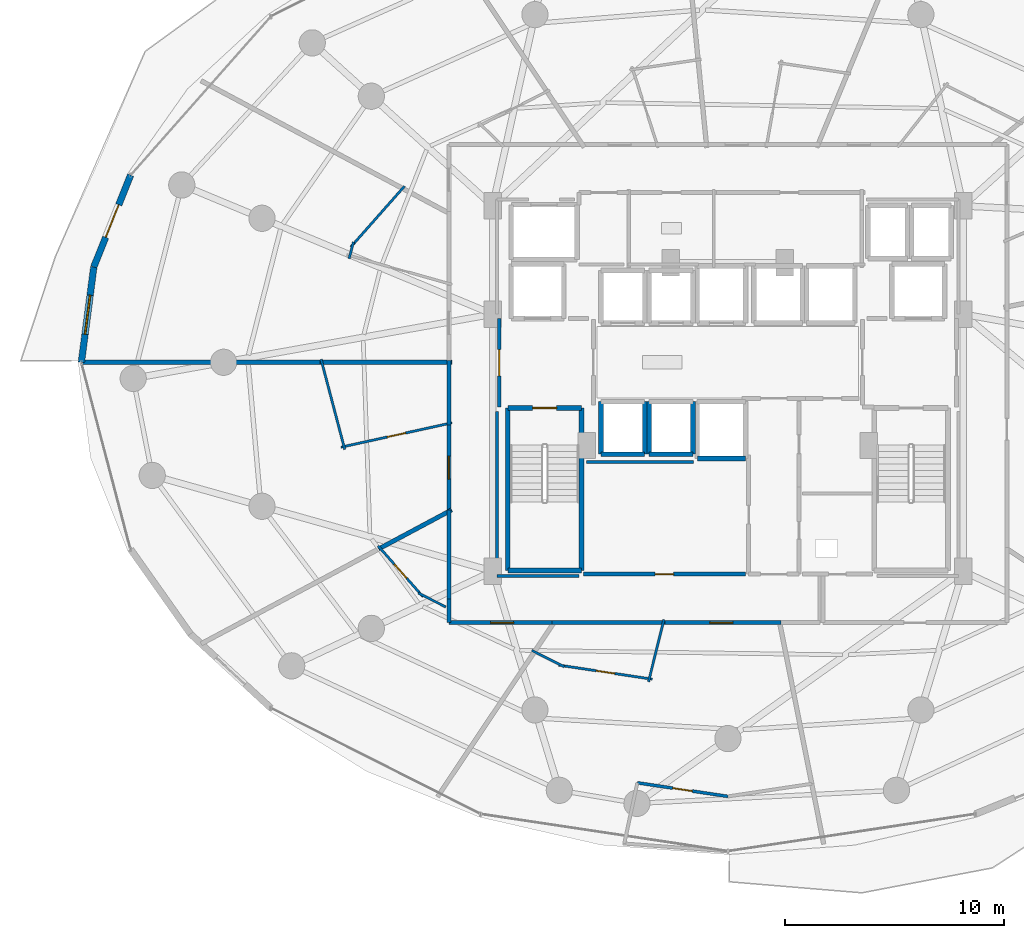
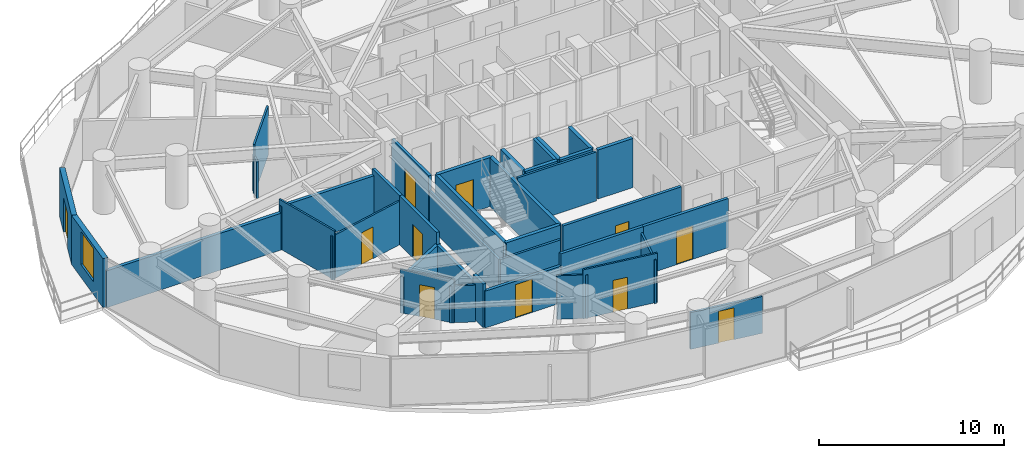
# One storey, part 26 of 34: 38 walls, 11 doors, 1 window, 12 openings.
"""IFC4 building model written with IfcOpenShell, lengths in metres."""

from ifc_helpers import new_model, si_unit, direction, frame, frame_2d, origin, place, context, subcontext, project, spatial, rectangle, extrude, material, layer, layer_set, type_object, element, fill, save


model = new_model("IFC4")

# Units and contexts
model_context = context("Model", 3, precision=1e-05, world=origin(), true_north=direction((0.0, 1.0)))
body_context = subcontext(model_context, "Body", "Model", "MODEL_VIEW")
ifc_project = project(units=[si_unit("LENGTHUNIT", "METRE"), si_unit("AREAUNIT", "SQUARE_METRE"), si_unit("VOLUMEUNIT", "CUBIC_METRE"), si_unit("PLANEANGLEUNIT", "RADIAN"), si_unit("MASSUNIT", "GRAM", prefix="KILO")], contexts=[model_context])

# Site, building, storey
site_placement = place(None, origin())
site = spatial("IfcSite", under=ifc_project, at=site_placement, CompositionType="ELEMENT")
building_placement = place(site_placement, origin())
building = spatial("IfcBuilding", under=site, at=building_placement, Name="Vorneva Point Tower", CompositionType="ELEMENT")
storey_placement = place(building_placement, frame((0.0, 0.0, 62.5)))
storey = spatial("IfcBuildingStorey", under=building, at=storey_placement, Name="L16", CompositionType="ELEMENT", Elevation=62.5)

# Wall, opening, door
ifc_material_1 = material(Name="Precast concrete B50 (C40/50)", Category="concrete")
ifc_layer_1 = layer(ifc_material_1, 0.300048828125)
ifc_layer_set_1 = layer_set([ifc_layer_1], Name="Precast concrete B50 (C40/50)")
wall_type_1 = type_object("IfcWallType", Name="WL-EXT-300", PredefinedType="STANDARD", material=ifc_layer_set_1)
wall_1_placement = place(storey_placement, frame((10.699462890625, 34.552978515625, 0.0), z_axis=(0.0, 0.0, 1.0), x_axis=(-0.372266423315, -0.928125912833, 0.0)))
wall_1 = element("IfcWall", 1, at=wall_1_placement, inside=storey, type_object=wall_type_1, Name="L16 Pale-Metal Facade Spandrel Wall 08.1", PredefinedType="STANDARD", context=body_context, shape_type="SweptSolid", body=[
    extrude(rectangle(XDim=4.517333984375, YDim=0.300048828125, at=frame_2d((2.2587890625, 0.0))), origin(), (0.0, 0.0, 1.0), 3.239990234375),
])
opening_1_placement = place(wall_1_placement, frame((1.458740234375, 0.0, 0.0)))
opening_1 = element("IfcOpeningElement", 2, at=opening_1_placement, cuts=wall_1, Name="Opening BD-01", PredefinedType="OPENING", context=body_context, shape_type="SweptSolid", body=[
    extrude(rectangle(XDim=1.60009765625, YDim=2.300048828125, at=frame_2d((0.800048828125, 1.14990234375))), frame((0.0, 0.1650390625, 0.0), z_axis=(0.0, -1.0, 0.0), x_axis=(1.0, 0.0, 0.0)), (0.0, 0.0, 1.0), 0.329833984375),
])
ifc_material_2 = material(Name="Pale anodised aluminium", Category="aluminium")
door_type_1 = type_object("IfcDoorType", Name="DR-BAL-1600", OperationType="SLIDING_TO_LEFT", PredefinedType="DOOR", material=ifc_material_2)
door_1_placement = place(opening_1_placement, origin())
door_1 = element("IfcDoor", 3, at=door_1_placement, inside=storey, type_object=door_type_1, Name="L16 Balcony Terrace Access Door 08", OperationType="SLIDING_TO_LEFT", OverallHeight=2.300048828125, OverallWidth=1.60009765625, PredefinedType="DOOR", context=body_context, shape_type="SweptSolid", body=[
    extrude(rectangle(XDim=1.60009765625, YDim=2.300048828125, at=frame_2d((0.800048828125, 1.14990234375))), frame((0.0, 0.02490234375, 0.0), z_axis=(0.0, -1.0, 0.0), x_axis=(1.0, 0.0, 0.0)), (0.0, 0.0, 1.0), 0.050048828125),
])
fill(opening_1, door_1)

# Wall, opening, window
wall_2_placement = place(storey_placement, frame((9.017822265625, 30.3603515625, 0.0), z_axis=(0.0, 0.0, 1.0), x_axis=(-0.129144544413, -0.99162577954, 0.0)))
wall_2 = element("IfcWall", 4, at=wall_2_placement, inside=storey, type_object=wall_type_1, Name="L16 Pale-Metal Facade Spandrel Wall 08.2", PredefinedType="STANDARD", context=body_context, shape_type="SweptSolid", body=[
    extrude(rectangle(XDim=4.397216796875, YDim=0.300048828125, at=frame_2d((2.19873046875, 0.0))), origin(), (0.0, 0.0, 1.0), 3.239990234375),
])
opening_2_placement = place(wall_2_placement, frame((1.298583984375, 0.0, 0.85009765625)))
opening_2 = element("IfcOpeningElement", 5, at=opening_2_placement, cuts=wall_2, Name="Opening W-01", PredefinedType="OPENING", context=body_context, shape_type="SweptSolid", body=[
    extrude(rectangle(XDim=1.800048828125, YDim=2.18994140625, at=frame_2d((0.89990234375, 1.094970703125))), frame((0.0, 0.1650390625, 0.0), z_axis=(0.0, -1.0, 0.0), x_axis=(1.0, 0.0, 0.0)), (0.0, 0.0, 1.0), 0.329833984375),
])
ifc_material_3 = material(Name="Double low-e laminated glass IGU", Category="glass")
window_type = type_object("IfcWindowType", Name="WN-LOG-1800", PartitioningType="SINGLE_PANEL", PredefinedType="WINDOW", material=ifc_material_3)
window_placement = place(opening_2_placement, origin())
window = element("IfcWindow", 6, at=window_placement, inside=storey, type_object=window_type, Name="L16 Facade Window 08", OverallHeight=2.18994140625, OverallWidth=1.800048828125, PartitioningType="SINGLE_PANEL", PredefinedType="WINDOW", context=body_context, shape_type="SweptSolid", body=[
    extrude(rectangle(XDim=1.800048828125, YDim=2.18994140625, at=frame_2d((0.89990234375, 1.094970703125))), frame((0.0, 0.030029296875, 0.0), z_axis=(0.0, -1.0, 0.0), x_axis=(1.0, 0.0, 0.0)), (0.0, 0.0, 1.0), 0.06005859375),
])
fill(opening_2, window)

# Walls
ifc_material_4 = material(Name="Fire-rated acoustic gypsum stud partition", Category="gypsum")
ifc_layer_2 = layer(ifc_material_4, 0.110107421875)
ifc_layer_set_2 = layer_set([ifc_layer_2], Name="Fire-rated acoustic gypsum stud partition")
wall_type_2 = type_object("IfcWallType", Name="WL-PART-110", PredefinedType="PARTITIONING", material=ifc_layer_set_2)
wall_3_placement = place(storey_placement, frame((20.686279296875, 30.737548828125, 0.0), z_axis=(0.0, 0.0, 1.0), x_axis=(0.254583995409, 0.967050665313, 0.0)))
element("IfcWall", 7, at=wall_3_placement, inside=storey, type_object=wall_type_2, Name="L16 Interior Partition 070", PredefinedType="PARTITIONING", context=body_context, shape_type="SweptSolid", body=[
    extrude(rectangle(XDim=0.794921875, YDim=0.110107421875, at=frame_2d((0.3974609375, 0.0))), origin(), (0.0, 0.0, 1.0), 2.431884765625),
])
wall_4_placement = place(storey_placement, frame((20.76025390625, 31.26611328125, 0.0), z_axis=(0.0, 0.0, 1.0), x_axis=(0.662136072578, 0.74938362765, 0.0)))
element("IfcWall", 8, at=wall_4_placement, inside=storey, type_object=wall_type_2, Name="L16 Interior Partition 071", PredefinedType="PARTITIONING", context=body_context, shape_type="SweptSolid", body=[
    extrude(rectangle(XDim=3.718994140625, YDim=0.110107421875, at=frame_2d((1.859375, 0.0))), origin(), (0.0, 0.0, 1.0), 3.239990234375),
])
wall_5_placement = place(storey_placement, frame((20.488525390625, 22.0146484375, 0.0), z_axis=(0.0, 0.0, 1.0), x_axis=(-0.254448175288, 0.967086410872, 0.0)))
element("IfcWall", 9, at=wall_5_placement, inside=storey, type_object=wall_type_2, Name="L16 Interior Partition 075", PredefinedType="PARTITIONING", context=body_context, shape_type="SweptSolid", body=[
    extrude(rectangle(XDim=4.260986328125, YDim=0.110107421875, at=frame_2d((2.13037109375, 0.0))), origin(), (0.0, 0.0, 1.0), 3.239990234375),
])

# Wall, opening, door
wall_6_placement = place(storey_placement, frame((25.38671875, 23.23291015625, 0.0), z_axis=(0.0, 0.0, 1.0), x_axis=(-0.976752510269, -0.214370085796, 0.0)))
wall_6 = element("IfcWall", 10, at=wall_6_placement, inside=storey, type_object=wall_type_2, Name="L16 Interior Partition 076", PredefinedType="PARTITIONING", context=body_context, shape_type="SweptSolid", body=[
    extrude(rectangle(XDim=5.19091796875, YDim=0.110107421875, at=frame_2d((2.595458984375, 0.0))), origin(), (0.0, 0.0, 1.0), 2.8740234375),
])
opening_3_placement = place(wall_6_placement, frame((2.170654296875, 0.0, 0.0)))
opening_3 = element("IfcOpeningElement", 11, at=opening_3_placement, cuts=wall_6, Name="Opening ID-02", PredefinedType="OPENING", context=body_context, shape_type="SweptSolid", body=[
    extrude(rectangle(XDim=0.85009765625, YDim=2.10009765625, at=frame_2d((0.425048828125, 1.050048828125))), frame((0.0, 0.06982421875, 0.0), z_axis=(0.0, -1.0, 0.0), x_axis=(1.0, 0.0, 0.0)), (0.0, 0.0, 1.0), 0.139892578125),
])
ifc_material_5 = material(Name="Engineered oak fire-rated door leaf", Category="wood")
door_type_2 = type_object("IfcDoorType", Name="DR-BATH-850", OperationType="NOTDEFINED", PredefinedType="DOOR", material=ifc_material_5)
door_2_placement = place(opening_3_placement, origin())
door_2 = element("IfcDoor", 12, at=door_2_placement, inside=storey, type_object=door_type_2, Name="L16 Door Executive Suite L16-07 / En-Suite Bathroom L16-07", OperationType="SINGLE_SWING_RIGHT", OverallHeight=2.10009765625, OverallWidth=0.85009765625, PredefinedType="DOOR", context=body_context, shape_type="SweptSolid", body=[
    extrude(rectangle(XDim=0.85009765625, YDim=2.10009765625, at=frame_2d((0.425048828125, 1.050048828125))), frame((0.0, 0.02490234375, 0.0), z_axis=(0.0, -1.0, 0.0), x_axis=(1.0, 0.0, 0.0)), (0.0, 0.0, 1.0), 0.050048828125),
])
fill(opening_3, door_2)

# Wall
wall_7_placement = place(storey_placement, frame((25.10595703125, 14.81689453125, 0.0), z_axis=(0.0, 0.0, 1.0), x_axis=(-0.892342346526, 0.451359210161, 0.0)))
element("IfcWall", 13, at=wall_7_placement, inside=storey, type_object=wall_type_2, Name="L16 Interior Partition 079", PredefinedType="PARTITIONING", context=body_context, shape_type="SweptSolid", body=[
    extrude(rectangle(XDim=1.411865234375, YDim=0.110107421875, at=frame_2d((0.7060546875, 0.0))), origin(), (0.0, 0.0, 1.0), 2.431884765625),
])

# Wall, opening, door
wall_8_placement = place(storey_placement, frame((24.063720703125, 15.2861328125, 0.0), z_axis=(0.0, 0.0, 1.0), x_axis=(-0.662165912504, 0.749357260802, 0.0)))
wall_8 = element("IfcWall", 14, at=wall_8_placement, inside=storey, type_object=wall_type_2, Name="L16 Interior Partition 080", PredefinedType="PARTITIONING", context=body_context, shape_type="SweptSolid", body=[
    extrude(rectangle(XDim=3.099609375, YDim=0.110107421875, at=frame_2d((1.5498046875, 0.0))), origin(), (0.0, 0.0, 1.0), 2.8740234375),
])
opening_4_placement = place(wall_8_placement, frame((1.124755859375, 0.0, 0.0)))
opening_4 = element("IfcOpeningElement", 15, at=opening_4_placement, cuts=wall_8, Name="Opening ID-02", PredefinedType="OPENING", context=body_context, shape_type="SweptSolid", body=[
    extrude(rectangle(XDim=0.85009765625, YDim=2.10009765625, at=frame_2d((0.425048828125, 1.050048828125))), frame((0.0, 0.06982421875, 0.0), z_axis=(0.0, -1.0, 0.0), x_axis=(1.0, 0.0, 0.0)), (0.0, 0.0, 1.0), 0.139892578125),
])
door_3_placement = place(opening_4_placement, origin())
door_3 = element("IfcDoor", 16, at=door_3_placement, inside=storey, type_object=door_type_2, Name="L16 Door Corner Suite L16-08 / En-Suite Bathroom L16-08", OperationType="SINGLE_SWING_LEFT", OverallHeight=2.10009765625, OverallWidth=0.85009765625, PredefinedType="DOOR", context=body_context, shape_type="SweptSolid", body=[
    extrude(rectangle(XDim=0.85009765625, YDim=2.10009765625, at=frame_2d((0.425048828125, 1.050048828125))), frame((0.0, 0.02490234375, 0.0), z_axis=(0.0, -1.0, 0.0), x_axis=(1.0, 0.0, 0.0)), (0.0, 0.0, 1.0), 0.050048828125),
])
fill(opening_4, door_3)

# Wall
wall_9_placement = place(storey_placement, frame((35.077880859375, 14.23583984375, 0.0), z_axis=(0.0, 0.0, 1.0), x_axis=(-0.241139515231, -0.97049046064, 0.0)))
element("IfcWall", 17, at=wall_9_placement, inside=storey, type_object=wall_type_2, Name="L16 Interior Partition 082", PredefinedType="PARTITIONING", context=body_context, shape_type="SweptSolid", body=[
    extrude(rectangle(XDim=2.921875, YDim=0.110107421875, at=frame_2d((1.4609375, 0.0))), origin(), (0.0, 0.0, 1.0), 2.8740234375),
])

# Wall, opening, door
wall_10_placement = place(storey_placement, frame((34.54541015625, 11.51513671875, 0.0), z_axis=(0.0, 0.0, 1.0), x_axis=(-0.98886251361, 0.148831882259, 0.0)))
wall_10 = element("IfcWall", 18, at=wall_10_placement, inside=storey, type_object=wall_type_2, Name="L16 Interior Partition 083", PredefinedType="PARTITIONING", context=body_context, shape_type="SweptSolid", body=[
    extrude(rectangle(XDim=4.323974609375, YDim=0.110107421875, at=frame_2d((2.162109375, 0.0))), origin(), (0.0, 0.0, 1.0), 3.239990234375),
])
opening_5_placement = place(wall_10_placement, frame((1.737060546875, 0.0, 0.0)))
opening_5 = element("IfcOpeningElement", 19, at=opening_5_placement, cuts=wall_10, Name="Opening ID-02", PredefinedType="OPENING", context=body_context, shape_type="SweptSolid", body=[
    extrude(rectangle(XDim=0.85009765625, YDim=2.10009765625, at=frame_2d((0.425048828125, 1.050048828125))), frame((0.0, 0.06982421875, 0.0), z_axis=(0.0, -1.0, 0.0), x_axis=(1.0, 0.0, 0.0)), (0.0, 0.0, 1.0), 0.139892578125),
])
door_4_placement = place(opening_5_placement, origin())
door_4 = element("IfcDoor", 20, at=door_4_placement, inside=storey, type_object=door_type_2, Name="L16 Door Junior Suite L16-09 / En-Suite Bathroom L16-09", OperationType="SINGLE_SWING_RIGHT", OverallHeight=2.10009765625, OverallWidth=0.85009765625, PredefinedType="DOOR", context=body_context, shape_type="SweptSolid", body=[
    extrude(rectangle(XDim=0.85009765625, YDim=2.10009765625, at=frame_2d((0.425048828125, 1.050048828125))), frame((0.0, 0.02490234375, 0.0), z_axis=(0.0, -1.0, 0.0), x_axis=(1.0, 0.0, 0.0)), (0.0, 0.0, 1.0), 0.050048828125),
])
fill(opening_5, door_4)

# Wall
wall_11_placement = place(storey_placement, frame((30.532958984375, 12.07470703125, 0.0), z_axis=(0.0, 0.0, 1.0), x_axis=(-0.892352223768, 0.451339682209, 0.0)))
element("IfcWall", 21, at=wall_11_placement, inside=storey, type_object=wall_type_2, Name="L16 Interior Partition 084", PredefinedType="PARTITIONING", context=body_context, shape_type="SweptSolid", body=[
    extrude(rectangle(XDim=1.678466796875, YDim=0.110107421875, at=frame_2d((0.83935546875, 0.0))), origin(), (0.0, 0.0, 1.0), 2.8740234375),
])

# Wall, opening, door
ifc_layer_3 = layer(ifc_material_4, 0.139892578125)
ifc_layer_set_3 = layer_set([ifc_layer_3], Name="Fire-rated acoustic gypsum stud partition")
wall_type_3 = type_object("IfcWallType", Name="WL-PART-140", PredefinedType="PARTITIONING", material=ifc_layer_set_3)
wall_12_placement = place(storey_placement, frame((33.862060546875, 6.779052734375, 0.0), z_axis=(0.0, 0.0, 1.0), x_axis=(0.988853606593, -0.148891049857, 0.0)))
wall_12 = element("IfcWall", 22, at=wall_12_placement, inside=storey, type_object=wall_type_3, Name="L16 Interior Partition 086", PredefinedType="PARTITIONING", context=body_context, shape_type="SweptSolid", body=[
    extrude(rectangle(XDim=4.1845703125, YDim=0.139892578125, at=frame_2d((2.09228515625, 0.0))), origin(), (0.0, 0.0, 1.0), 2.431884765625),
])
opening_6_placement = place(wall_12_placement, frame((1.642333984375, 0.0, 0.0)))
opening_6 = element("IfcOpeningElement", 23, at=opening_6_placement, cuts=wall_12, Name="Opening ID-01", PredefinedType="OPENING", context=body_context, shape_type="SweptSolid", body=[
    extrude(rectangle(XDim=0.89990234375, YDim=2.10009765625, at=frame_2d((0.449951171875, 1.050048828125))), frame((0.0, 0.0849609375, 0.0), z_axis=(0.0, -1.0, 0.0), x_axis=(1.0, 0.0, 0.0)), (0.0, 0.0, 1.0), 0.169677734375),
])
door_type_3 = type_object("IfcDoorType", Name="DR-ROOM-900", OperationType="NOTDEFINED", PredefinedType="DOOR", material=ifc_material_5)
door_5_placement = place(opening_6_placement, origin())
door_5 = element("IfcDoor", 24, at=door_5_placement, inside=storey, type_object=door_type_3, Name="L16 Door Junior Suite L16-09 / Suite Sitting Study L16-09", OperationType="SINGLE_SWING_RIGHT", OverallHeight=2.10009765625, OverallWidth=0.89990234375, PredefinedType="DOOR", context=body_context, shape_type="SweptSolid", body=[
    extrude(rectangle(XDim=0.89990234375, YDim=2.10009765625, at=frame_2d((0.449951171875, 1.050048828125))), frame((0.0, 0.02490234375, 0.0), z_axis=(0.0, -1.0, 0.0), x_axis=(1.0, 0.0, 0.0)), (0.0, 0.0, 1.0), 0.050048828125),
])
fill(opening_6, door_5)

# Walls
wall_13_placement = place(storey_placement, frame((36.43896484375, 21.449951171875, 0.0), z_axis=(0.0, 0.0, 1.0), x_axis=(-1.0, 0.0, 0.0)))
element("IfcWall", 25, at=wall_13_placement, inside=storey, type_object=wall_type_3, Name="L16 Interior Closure Partition 099", PredefinedType="PARTITIONING", context=body_context, shape_type="SweptSolid", body=[
    extrude(rectangle(XDim=4.908935546875, YDim=0.139892578125, at=frame_2d((2.45458984375, 0.0))), origin(), (0.0, 0.0, 1.0), 3.239990234375),
])
wall_14_placement = place(storey_placement, frame((31.195068359375, 16.239990234375, 0.0), z_axis=(0.0, 0.0, 1.0), x_axis=(-1.0, 0.0, 0.0)))
element("IfcWall", 26, at=wall_14_placement, inside=storey, type_object=wall_type_3, Name="L16 Interior Closure Partition 104", PredefinedType="PARTITIONING", context=body_context, shape_type="SweptSolid", body=[
    extrude(rectangle(XDim=3.7451171875, YDim=0.139892578125, at=frame_2d((1.87255859375, 0.0))), origin(), (0.0, 0.0, 1.0), 2.431884765625),
])
wall_15_placement = place(storey_placement, frame((27.449951171875, 16.239990234375, 0.0), z_axis=(0.0, 0.0, 1.0), x_axis=(0.0, 1.0, 0.0)))
element("IfcWall", 27, at=wall_15_placement, inside=storey, type_object=wall_type_3, Name="L16 Interior Closure Partition 105", PredefinedType="PARTITIONING", context=body_context, shape_type="SweptSolid", body=[
    extrude(rectangle(XDim=7.513916015625, YDim=0.139892578125, at=frame_2d((3.7568359375, 0.0))), origin(), (0.0, 0.0, 1.0), 2.431884765625),
])

# Wall, opening, door
ifc_material_6 = material(Name="Autoclaved aerated concrete blockwork", Category="masonry")
ifc_layer_4 = layer(ifc_material_6, 0.179931640625)
ifc_layer_set_4 = layer_set([ifc_layer_4], Name="Autoclaved aerated concrete blockwork")
wall_type_4 = type_object("IfcWallType", Name="WL-PART-180", PredefinedType="PARTITIONING", material=ifc_layer_set_4)
wall_16_placement = place(storey_placement, frame((27.550048828125, 28.0, 0.0), z_axis=(0.0, 0.0, 1.0), x_axis=(0.0, -1.0, 0.0)))
wall_16 = element("IfcWall", 28, at=wall_16_placement, inside=storey, type_object=wall_type_4, Name="L16 Interior Partition 002", PredefinedType="PARTITIONING", context=body_context, shape_type="SweptSolid", body=[
    extrude(rectangle(XDim=4.050048828125, YDim=0.179931640625, at=frame_2d((2.02490234375, 0.0))), origin(), (0.0, 0.0, 1.0), 3.239990234375),
])
opening_7_placement = place(wall_16_placement, frame((1.425048828125, 0.0, 0.0)))
opening_7 = element("IfcOpeningElement", 29, at=opening_7_placement, cuts=wall_16, Name="Opening FD-02", PredefinedType="OPENING", context=body_context, shape_type="SweptSolid", body=[
    extrude(rectangle(XDim=1.199951171875, YDim=2.14990234375, at=frame_2d((0.60009765625, 1.074951171875))), frame((0.0, 0.10498046875, 0.0), z_axis=(0.0, -1.0, 0.0), x_axis=(1.0, 0.0, 0.0)), (0.0, 0.0, 1.0), 0.209716796875),
])
ifc_material_7 = material(Name="Fire-rated powder-coated steel", Category="steel")
door_type_4 = type_object("IfcDoorType", Name="DR-FFL-1200", OperationType="NOTDEFINED", PredefinedType="DOOR", material=ifc_material_7)
door_6_placement = place(opening_7_placement, origin())
door_6 = element("IfcDoor", 30, at=door_6_placement, inside=storey, type_object=door_type_4, Name="L16 Door West Firefighting Lobby / L16 Circulation Corridor", OperationType="SINGLE_SWING_RIGHT", OverallHeight=2.14990234375, OverallWidth=1.199951171875, PredefinedType="DOOR", context=body_context, shape_type="SweptSolid", body=[
    extrude(rectangle(XDim=1.199951171875, YDim=2.14990234375, at=frame_2d((0.60009765625, 1.074951171875))), frame((0.0, 0.02490234375, 0.0), z_axis=(0.0, -1.0, 0.0), x_axis=(1.0, 0.0, 0.0)), (0.0, 0.0, 1.0), 0.050048828125),
])
fill(opening_7, door_6)

wall_17_placement = place(storey_placement, frame((31.39990234375, 16.320068359375, 0.0), z_axis=(0.0, 0.0, 1.0), x_axis=(1.0, 0.0, 0.0)))
wall_17 = element("IfcWall", 31, at=wall_17_placement, inside=storey, type_object=wall_type_4, Name="L16 Interior Partition 021", PredefinedType="PARTITIONING", context=body_context, shape_type="SweptSolid", body=[
    extrude(rectangle(XDim=7.400146484375, YDim=0.179931640625, at=frame_2d((3.7001953125, 0.0))), origin(), (0.0, 0.0, 1.0), 3.239990234375),
])
opening_8_placement = place(wall_17_placement, frame((3.27490234375, 0.0, 0.0)))
opening_8 = element("IfcOpeningElement", 32, at=opening_8_placement, cuts=wall_17, Name="Opening ID-02", PredefinedType="OPENING", context=body_context, shape_type="SweptSolid", body=[
    extrude(rectangle(XDim=0.85009765625, YDim=2.10009765625, at=frame_2d((0.425048828125, 1.050048828125))), frame((0.0, 0.10498046875, 0.0), z_axis=(0.0, -1.0, 0.0), x_axis=(1.0, 0.0, 0.0)), (0.0, 0.0, 1.0), 0.209716796875),
])
door_7_placement = place(opening_8_placement, origin())
door_7 = element("IfcDoor", 33, at=door_7_placement, inside=storey, type_object=door_type_2, Name="L16 Door Housekeeping and Linen Room / L16 Circulation Corridor", OperationType="SINGLE_SWING_RIGHT", OverallHeight=2.10009765625, OverallWidth=0.85009765625, PredefinedType="DOOR", context=body_context, shape_type="SweptSolid", body=[
    extrude(rectangle(XDim=0.85009765625, YDim=2.10009765625, at=frame_2d((0.425048828125, 1.050048828125))), frame((0.0, 0.02490234375, 0.0), z_axis=(0.0, -1.0, 0.0), x_axis=(1.0, 0.0, 0.0)), (0.0, 0.0, 1.0), 0.050048828125),
])
fill(opening_8, door_7)

wall_18_placement = place(storey_placement, frame((25.25, 23.262939453125, 0.0), z_axis=(0.0, 0.0, 1.0), x_axis=(0.0, -1.0, 0.0)))
wall_18 = element("IfcWall", 34, at=wall_18_placement, inside=storey, type_object=wall_type_4, Name="L16 Interior Partition 036", PredefinedType="PARTITIONING", context=body_context, shape_type="SweptSolid", body=[
    extrude(rectangle(XDim=4.14599609375, YDim=0.179931640625, at=frame_2d((2.072998046875, 0.0))), origin(), (0.0, 0.0, 1.0), 3.239990234375),
])
opening_9_placement = place(wall_18_placement, frame((1.548095703125, 0.0, 0.0)))
opening_9 = element("IfcOpeningElement", 35, at=opening_9_placement, cuts=wall_18, Name="Opening UD-02", PredefinedType="OPENING", context=body_context, shape_type="SweptSolid", body=[
    extrude(rectangle(XDim=1.050048828125, YDim=2.199951171875, at=frame_2d((0.52490234375, 1.10009765625))), frame((0.0, 0.10498046875, 0.0), z_axis=(0.0, -1.0, 0.0), x_axis=(1.0, 0.0, 0.0)), (0.0, 0.0, 1.0), 0.209716796875),
])
door_type_5 = type_object("IfcDoorType", Name="DR-SUITE-1050", OperationType="NOTDEFINED", PredefinedType="DOOR", material=ifc_material_5)
door_8_placement = place(opening_9_placement, origin())
door_8 = element("IfcDoor", 36, at=door_8_placement, inside=storey, type_object=door_type_5, Name="L16 Door L16 Circulation Corridor / Executive Suite L16-07", OperationType="SINGLE_SWING_LEFT", OverallHeight=2.199951171875, OverallWidth=1.050048828125, PredefinedType="DOOR", context=body_context, shape_type="SweptSolid", body=[
    extrude(rectangle(XDim=1.050048828125, YDim=2.199951171875, at=frame_2d((0.52490234375, 1.10009765625))), frame((0.0, 0.02490234375, 0.0), z_axis=(0.0, -1.0, 0.0), x_axis=(1.0, 0.0, 0.0)), (0.0, 0.0, 1.0), 0.050048828125),
])
fill(opening_9, door_8)

# Walls
wall_19_placement = place(storey_placement, frame((25.25, 26.080078125, 0.0), z_axis=(0.0, 0.0, 1.0), x_axis=(0.0, -1.0, 0.0)))
element("IfcWall", 37, at=wall_19_placement, inside=storey, type_object=wall_type_4, Name="L16 Interior Partition 037", PredefinedType="PARTITIONING", context=body_context, shape_type="SweptSolid", body=[
    extrude(rectangle(XDim=2.95703125, YDim=0.179931640625, at=frame_2d((1.478515625, 0.0))), origin(), (0.0, 0.0, 1.0), 3.239990234375),
])
wall_20_placement = place(storey_placement, frame((25.25, 15.169921875, 0.0), z_axis=(0.0, 0.0, 1.0), x_axis=(0.0, -1.0, 0.0)))
element("IfcWall", 38, at=wall_20_placement, inside=storey, type_object=wall_type_4, Name="L16 Interior Partition 038", PredefinedType="PARTITIONING", context=body_context, shape_type="SweptSolid", body=[
    extrude(rectangle(XDim=1.06982421875, YDim=0.179931640625, at=frame_2d((0.534912109375, 0.0))), origin(), (0.0, 0.0, 1.0), 2.8740234375),
])

# Wall, opening, door
wall_21_placement = place(storey_placement, frame((25.25, 14.10009765625, 0.0), z_axis=(0.0, 0.0, 1.0), x_axis=(1.0, 0.0, 0.0)))
wall_21 = element("IfcWall", 39, at=wall_21_placement, inside=storey, type_object=wall_type_4, Name="L16 Interior Partition 039", PredefinedType="PARTITIONING", context=body_context, shape_type="SweptSolid", body=[
    extrude(rectangle(XDim=4.85888671875, YDim=0.179931640625, at=frame_2d((2.429443359375, 0.0))), origin(), (0.0, 0.0, 1.0), 2.431884765625),
])
opening_10_placement = place(wall_21_placement, frame((1.904541015625, 0.0, 0.0)))
opening_10 = element("IfcOpeningElement", 40, at=opening_10_placement, cuts=wall_21, Name="Opening UD-02", PredefinedType="OPENING", context=body_context, shape_type="SweptSolid", body=[
    extrude(rectangle(XDim=1.050048828125, YDim=2.199951171875, at=frame_2d((0.52490234375, 1.10009765625))), frame((0.0, 0.10498046875, 0.0), z_axis=(0.0, -1.0, 0.0), x_axis=(1.0, 0.0, 0.0)), (0.0, 0.0, 1.0), 0.209716796875),
])
door_9_placement = place(opening_10_placement, origin())
door_9 = element("IfcDoor", 41, at=door_9_placement, inside=storey, type_object=door_type_5, Name="L16 Door L16 Circulation Corridor / Corner Suite L16-08", OperationType="SINGLE_SWING_RIGHT", OverallHeight=2.199951171875, OverallWidth=1.050048828125, PredefinedType="DOOR", context=body_context, shape_type="SweptSolid", body=[
    extrude(rectangle(XDim=1.050048828125, YDim=2.199951171875, at=frame_2d((0.52490234375, 1.10009765625))), frame((0.0, 0.02490234375, 0.0), z_axis=(0.0, -1.0, 0.0), x_axis=(1.0, 0.0, 0.0)), (0.0, 0.0, 1.0), 0.050048828125),
])
fill(opening_10, door_9)

# Wall
wall_22_placement = place(storey_placement, frame((25.25, 19.257080078125, 0.0), z_axis=(0.0, 0.0, 1.0), x_axis=(0.0, -1.0, 0.0)))
element("IfcWall", 42, at=wall_22_placement, inside=storey, type_object=wall_type_4, Name="L16 Interior Partition 040", PredefinedType="PARTITIONING", context=body_context, shape_type="SweptSolid", body=[
    extrude(rectangle(XDim=4.22705078125, YDim=0.179931640625, at=frame_2d((2.113525390625, 0.0))), origin(), (0.0, 0.0, 1.0), 2.431884765625),
])

# Wall, opening, door
wall_23_placement = place(storey_placement, frame((34.98193359375, 14.10009765625, 0.0), z_axis=(0.0, 0.0, 1.0), x_axis=(1.0, 0.0, 0.0)))
wall_23 = element("IfcWall", 43, at=wall_23_placement, inside=storey, type_object=wall_type_4, Name="L16 Interior Partition 041", PredefinedType="PARTITIONING", context=body_context, shape_type="SweptSolid", body=[
    extrude(rectangle(XDim=5.446044921875, YDim=0.179931640625, at=frame_2d((2.72314453125, 0.0))), origin(), (0.0, 0.0, 1.0), 3.239990234375),
])
opening_11_placement = place(wall_23_placement, frame((2.197998046875, 0.0, 0.0)))
opening_11 = element("IfcOpeningElement", 44, at=opening_11_placement, cuts=wall_23, Name="Opening UD-02", PredefinedType="OPENING", context=body_context, shape_type="SweptSolid", body=[
    extrude(rectangle(XDim=1.050048828125, YDim=2.199951171875, at=frame_2d((0.52490234375, 1.10009765625))), frame((0.0, 0.10498046875, 0.0), z_axis=(0.0, -1.0, 0.0), x_axis=(1.0, 0.0, 0.0)), (0.0, 0.0, 1.0), 0.209716796875),
])
door_10_placement = place(opening_11_placement, origin())
door_10 = element("IfcDoor", 45, at=door_10_placement, inside=storey, type_object=door_type_5, Name="L16 Door L16 Circulation Corridor / Junior Suite L16-09", OperationType="SINGLE_SWING_LEFT", OverallHeight=2.199951171875, OverallWidth=1.050048828125, PredefinedType="DOOR", context=body_context, shape_type="SweptSolid", body=[
    extrude(rectangle(XDim=1.050048828125, YDim=2.199951171875, at=frame_2d((0.52490234375, 1.10009765625))), frame((0.0, 0.02490234375, 0.0), z_axis=(0.0, -1.0, 0.0), x_axis=(1.0, 0.0, 0.0)), (0.0, 0.0, 1.0), 0.050048828125),
])
fill(opening_11, door_10)

# Walls
wall_24_placement = place(storey_placement, frame((29.968994140625, 14.10009765625, 0.0), z_axis=(0.0, 0.0, 1.0), x_axis=(1.0, 0.0, 0.0)))
element("IfcWall", 46, at=wall_24_placement, inside=storey, type_object=wall_type_4, Name="L16 Interior Partition 042", PredefinedType="PARTITIONING", context=body_context, shape_type="SweptSolid", body=[
    extrude(rectangle(XDim=5.153076171875, YDim=0.179931640625, at=frame_2d((2.57666015625, 0.0))), origin(), (0.0, 0.0, 1.0), 3.239990234375),
])
ifc_layer_5 = layer(ifc_material_6, 0.199951171875)
ifc_layer_set_5 = layer_set([ifc_layer_5], Name="Autoclaved aerated concrete blockwork")
wall_type_5 = type_object("IfcWallType", Name="WL-PART-200", PredefinedType="PARTITIONING", material=ifc_layer_set_5)
wall_25_placement = place(storey_placement, frame((8.450927734375, 26.0, 0.0), z_axis=(0.0, 0.0, 1.0), x_axis=(1.0, 0.0, 0.0)))
element("IfcWall", 47, at=wall_25_placement, inside=storey, type_object=wall_type_5, Name="L16 Interior Partition 073", PredefinedType="PARTITIONING", context=body_context, shape_type="SweptSolid", body=[
    extrude(rectangle(XDim=11.051025390625, YDim=0.199951171875, at=frame_2d((5.525390625, 0.0))), origin(), (0.0, 0.0, 1.0), 2.431884765625),
])
wall_26_placement = place(storey_placement, frame((19.362060546875, 26.0, 0.0), z_axis=(0.0, 0.0, 1.0), x_axis=(1.0, 0.0, 0.0)))
element("IfcWall", 48, at=wall_26_placement, inside=storey, type_object=wall_type_5, Name="L16 Interior Partition 074", PredefinedType="PARTITIONING", context=body_context, shape_type="SweptSolid", body=[
    extrude(rectangle(XDim=6.02783203125, YDim=0.199951171875, at=frame_2d((3.013916015625, 0.0))), origin(), (0.0, 0.0, 1.0), 2.8740234375),
])
wall_27_placement = place(storey_placement, frame((22.03564453125, 17.466796875, 0.0), z_axis=(0.0, 0.0, 1.0), x_axis=(0.881916873027, 0.471404952317, 0.0)))
element("IfcWall", 49, at=wall_27_placement, inside=storey, type_object=wall_type_5, Name="L16 Interior Partition 078", PredefinedType="PARTITIONING", context=body_context, shape_type="SweptSolid", body=[
    extrude(rectangle(XDim=3.784912109375, YDim=0.199951171875, at=frame_2d((1.892578125, 0.0))), origin(), (0.0, 0.0, 1.0), 2.431884765625),
])

# Wall, opening, door
ifc_material_8 = material(Name="Concrete B50 (C40/50)", Category="concrete")
ifc_layer_6 = layer(ifc_material_8, 0.219970703125)
ifc_layer_set_6 = layer_set([ifc_layer_6], Name="Concrete B50 (C40/50)")
wall_type_6 = type_object("IfcWallType", Name="WL-SHFT-220", PredefinedType="SOLIDWALL", material=ifc_layer_set_6)
wall_28_placement = place(storey_placement, frame((27.93994140625, 23.909912109375, 0.0), z_axis=(0.0, 0.0, 1.0), x_axis=(1.0, 0.0, 0.0)))
wall_28 = element("IfcWall", 50, at=wall_28_placement, inside=storey, type_object=wall_type_6, Name="L16 Exit Stair ST1 Shaft Wall near", PredefinedType="SOLIDWALL", context=body_context, shape_type="SweptSolid", body=[
    extrude(rectangle(XDim=3.3701171875, YDim=0.219970703125, at=frame_2d((1.68505859375, 0.0))), origin(), (0.0, 0.0, 1.0), 3.239990234375),
])
opening_12_placement = place(wall_28_placement, frame((1.135009765625, 0.0, 0.0)))
opening_12 = element("IfcOpeningElement", 51, at=opening_12_placement, cuts=wall_28, Name="Opening FD-01", PredefinedType="OPENING", context=body_context, shape_type="SweptSolid", body=[
    extrude(rectangle(XDim=1.10009765625, YDim=2.14990234375, at=frame_2d((0.550048828125, 1.074951171875))), frame((0.0, 0.125, 0.0), z_axis=(0.0, -1.0, 0.0), x_axis=(1.0, 0.0, 0.0)), (0.0, 0.0, 1.0), 0.249755859375),
])
door_type_6 = type_object("IfcDoorType", Name="DR-STAIR-1100", OperationType="NOTDEFINED", PredefinedType="DOOR", material=ifc_material_7)
door_11_placement = place(opening_12_placement, origin())
door_11 = element("IfcDoor", 52, at=door_11_placement, inside=storey, type_object=door_type_6, Name="L16 Exit Stair ST1 Fire Door", OperationType="SINGLE_SWING_RIGHT", OverallHeight=2.14990234375, OverallWidth=1.10009765625, PredefinedType="DOOR", context=body_context, shape_type="SweptSolid", body=[
    extrude(rectangle(XDim=1.10009765625, YDim=2.14990234375, at=frame_2d((0.550048828125, 1.074951171875))), frame((0.0, 0.02490234375, 0.0), z_axis=(0.0, -1.0, 0.0), x_axis=(1.0, 0.0, 0.0)), (0.0, 0.0, 1.0), 0.050048828125),
])
fill(opening_12, door_11)

# Walls
wall_29_placement = place(storey_placement, frame((31.31005859375, 23.909912109375, 0.0), z_axis=(0.0, 0.0, 1.0), x_axis=(0.0, -1.0, 0.0)))
element("IfcWall", 53, at=wall_29_placement, inside=storey, type_object=wall_type_6, Name="L16 Exit Stair ST1 Shaft Wall right", PredefinedType="SOLIDWALL", context=body_context, shape_type="SweptSolid", body=[
    extrude(rectangle(XDim=7.419921875, YDim=0.219970703125, at=frame_2d((3.7099609375, 0.0))), origin(), (0.0, 0.0, 1.0), 3.239990234375),
])
wall_30_placement = place(storey_placement, frame((31.31005859375, 16.489990234375, 0.0), z_axis=(0.0, 0.0, 1.0), x_axis=(-1.0, 0.0, 0.0)))
element("IfcWall", 54, at=wall_30_placement, inside=storey, type_object=wall_type_6, Name="L16 Exit Stair ST1 Shaft Wall far", PredefinedType="SOLIDWALL", context=body_context, shape_type="SweptSolid", body=[
    extrude(rectangle(XDim=3.3701171875, YDim=0.219970703125, at=frame_2d((1.68505859375, 0.0))), origin(), (0.0, 0.0, 1.0), 3.239990234375),
])
wall_31_placement = place(storey_placement, frame((27.93994140625, 16.489990234375, 0.0), z_axis=(0.0, 0.0, 1.0), x_axis=(0.0, 1.0, 0.0)))
element("IfcWall", 55, at=wall_31_placement, inside=storey, type_object=wall_type_6, Name="L16 Exit Stair ST1 Shaft Wall left", PredefinedType="SOLIDWALL", context=body_context, shape_type="SweptSolid", body=[
    extrude(rectangle(XDim=7.419921875, YDim=0.219970703125, at=frame_2d((3.7099609375, 0.0))), origin(), (0.0, 0.0, 1.0), 3.239990234375),
])
wall_32_placement = place(storey_placement, frame((32.199951171875, 21.800048828125, 0.0), z_axis=(0.0, 0.0, 1.0), x_axis=(1.0, 0.0, 0.0)))
element("IfcWall", 56, at=wall_32_placement, inside=storey, type_object=wall_type_6, Name="L16 Lift PL4 Shaft Wall -Y", PredefinedType="SOLIDWALL", context=body_context, shape_type="SweptSolid", body=[
    extrude(rectangle(XDim=2.0, YDim=0.219970703125, at=frame_2d((1.0, 0.0))), origin(), (0.0, 0.0, 1.0), 3.239990234375),
])
for number, where, z_axis, x_axis, name in (
    (57, (34.199951171875, 21.800048828125, 0.0), (0.0, 0.0, 1.0), (0.0, 1.0, 0.0), "L16 Lift PL4 Shaft Wall +X"),
    (58, (32.199951171875, 24.199951171875, 0.0), (0.0, 0.0, 1.0), (0.0, -1.0, 0.0), "L16 Lift PL4 Shaft Wall -X"),
):
    element("IfcWall", number, at=place(storey_placement, frame(where, z_axis=z_axis, x_axis=x_axis)), inside=storey, type_object=wall_type_6, Name=name, PredefinedType="SOLIDWALL", context=body_context, shape_type="SweptSolid", body=[
        extrude(rectangle(XDim=2.39990234375, YDim=0.219970703125, at=frame_2d((1.199951171875, 0.0))), origin(), (0.0, 0.0, 1.0), 3.239990234375),
    ])
wall_33_placement = place(storey_placement, frame((34.39990234375, 21.800048828125, 0.0), z_axis=(0.0, 0.0, 1.0), x_axis=(1.0, 0.0, 0.0)))
element("IfcWall", 59, at=wall_33_placement, inside=storey, type_object=wall_type_6, Name="L16 Lift PL5 Shaft Wall -Y", PredefinedType="SOLIDWALL", context=body_context, shape_type="SweptSolid", body=[
    extrude(rectangle(XDim=2.0, YDim=0.219970703125, at=frame_2d((1.0, 0.0))), origin(), (0.0, 0.0, 1.0), 3.239990234375),
])
for number, where, z_axis, x_axis, name in (
    (60, (36.39990234375, 21.800048828125, 0.0), (0.0, 0.0, 1.0), (0.0, 1.0, 0.0), "L16 Lift PL5 Shaft Wall +X"),
    (61, (34.39990234375, 24.199951171875, 0.0), (0.0, 0.0, 1.0), (0.0, -1.0, 0.0), "L16 Lift PL5 Shaft Wall -X"),
):
    element("IfcWall", number, at=place(storey_placement, frame(where, z_axis=z_axis, x_axis=x_axis)), inside=storey, type_object=wall_type_6, Name=name, PredefinedType="SOLIDWALL", context=body_context, shape_type="SweptSolid", body=[
        extrude(rectangle(XDim=2.39990234375, YDim=0.219970703125, at=frame_2d((1.199951171875, 0.0))), origin(), (0.0, 0.0, 1.0), 3.239990234375),
    ])
wall_34_placement = place(storey_placement, frame((36.60009765625, 21.60009765625, 0.0), z_axis=(0.0, 0.0, 1.0), x_axis=(1.0, 0.0, 0.0)))
element("IfcWall", 62, at=wall_34_placement, inside=storey, type_object=wall_type_6, Name="L16 Lift PL6 Shaft Wall -Y", PredefinedType="SOLIDWALL", context=body_context, shape_type="SweptSolid", body=[
    extrude(rectangle(XDim=2.199951171875, YDim=0.219970703125, at=frame_2d((1.10009765625, 0.0))), origin(), (0.0, 0.0, 1.0), 3.239990234375),
])

save(model, "model.ifc")
